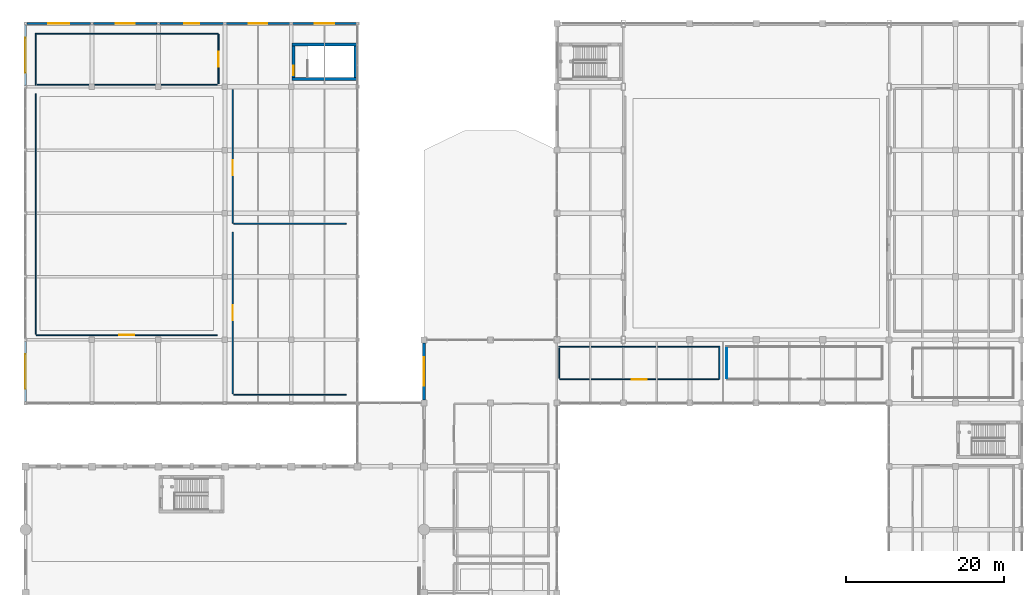
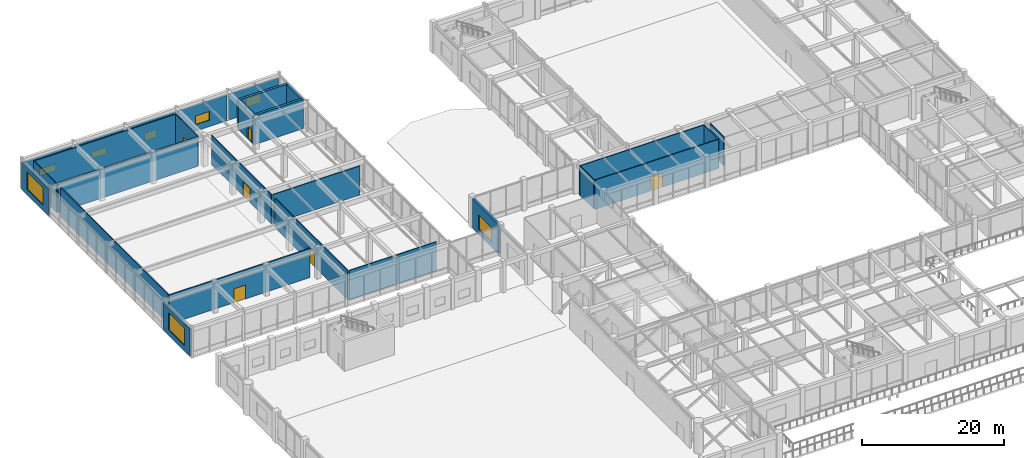
# One storey, part 60 of 79: 27 walls, 8 windows, 6 doors, 14 openings.
"""IFC4 building model written with IfcOpenShell, lengths in metres."""

from ifc_helpers import new_model, si_unit, direction, frame, frame_2d, origin, place, context, subcontext, project, spatial, rectangle, extrude, material, layer, layer_set, type_object, element, fill, save


model = new_model("IFC4")

# Units and contexts
model_context = context("Model", 3, precision=1e-05, world=origin(), true_north=direction((0.0, 1.0)))
body_context = subcontext(model_context, "Body", "Model", "MODEL_VIEW")
ifc_project = project(units=[si_unit("LENGTHUNIT", "METRE"), si_unit("AREAUNIT", "SQUARE_METRE"), si_unit("VOLUMEUNIT", "CUBIC_METRE"), si_unit("PLANEANGLEUNIT", "RADIAN"), si_unit("MASSUNIT", "GRAM", prefix="KILO")], contexts=[model_context])

# Site, building, storey
site_placement = place(None, origin())
site = spatial("IfcSite", under=ifc_project, at=site_placement, CompositionType="ELEMENT")
building_placement = place(site_placement, origin())
building = spatial("IfcBuilding", under=site, at=building_placement, Name="Naruveol Harbour Congress Hotel", CompositionType="ELEMENT")
storey_placement = place(building_placement, frame((0.0, 0.0, 6.0)))
storey = spatial("IfcBuildingStorey", under=building, at=storey_placement, Name="L01", CompositionType="ELEMENT", Elevation=6.0)

# Wall, opening, door
ifc_material_1 = material(Name="Acoustic Double Stud Gypsum", Category="gypsum")
ifc_layer_1 = layer(ifc_material_1, 0.139892578125)
ifc_layer_set_1 = layer_set([ifc_layer_1], Name="Acoustic Double Stud Gypsum")
wall_type_1 = type_object("IfcWallType", Name="ACOUSTIC MEETING PARTITION WALL 140", PredefinedType="PARTITIONING", material=ifc_layer_set_1)
wall_1_placement = place(storey_placement, frame((1.360107421875, 72.60009765625, 0.0), z_axis=(0.0, 0.0, 1.0), x_axis=(1.0, 0.0, 0.0)))
wall_1 = element("IfcWall", 1, at=wall_1_placement, inside=storey, type_object=wall_type_1, Name="Indoor Lap Pool Hall south entry wall PW-140", PredefinedType="PARTITIONING", context=body_context, shape_type="SweptSolid", body=[
    extrude(rectangle(XDim=22.8798828125, YDim=0.139892578125, at=frame_2d((11.43994140625, 0.0))), origin(), (0.0, 0.0, 1.0), 5.044921875),
])
opening_1_placement = place(wall_1_placement, frame((10.489990234375, 0.0, 0.0)))
opening_1 = element("IfcOpeningElement", 2, at=opening_1_placement, cuts=wall_1, Name="Opening ID-LG-36", PredefinedType="OPENING", context=body_context, shape_type="SweptSolid", body=[
    extrude(rectangle(XDim=1.89990234375, YDim=2.39990234375, at=frame_2d((0.949951171875, 1.199951171875))), frame((0.0, 0.079833984375, 0.0), z_axis=(0.0, -1.0, 0.0), x_axis=(1.0, 0.0, 0.0)), (0.0, 0.0, 1.0), 0.159912109375),
])
ifc_material_2 = material(Name="Timber & Steel Acoustic Leaf", Category="steel")
door_type_1 = type_object("IfcDoorType", Name="RESTAURANT AND LOUNGE GLAZED DOOR 1900X2400", OperationType="DOUBLE_DOOR_SINGLE_SWING", PredefinedType="DOOR", material=ifc_material_2)
door_1_placement = place(opening_1_placement, origin())
door_1 = element("IfcDoor", 3, at=door_1_placement, inside=storey, type_object=door_type_1, Name="Indoor Lap Pool Hall Entrance Door", OperationType="DOUBLE_DOOR_SINGLE_SWING", OverallHeight=2.39990234375, OverallWidth=1.89990234375, PredefinedType="DOOR", context=body_context, shape_type="SweptSolid", body=[
    extrude(rectangle(XDim=1.89990234375, YDim=2.39990234375, at=frame_2d((0.949951171875, 1.199951171875))), frame((0.0, 0.02490234375, 0.0), z_axis=(0.0, -1.0, 0.0), x_axis=(1.0, 0.0, 0.0)), (0.0, 0.0, 1.0), 0.050048828125),
])
fill(opening_1, door_1)

# Wall
wall_2_placement = place(storey_placement, frame((1.280029296875, 72.739990234375, 0.0), z_axis=(0.0, 0.0, 1.0), x_axis=(0.0, 1.0, 0.0)))
element("IfcWall", 4, at=wall_2_placement, inside=storey, type_object=wall_type_1, Name="Indoor Lap Pool Hall west partition PW-140", PredefinedType="PARTITIONING", context=body_context, shape_type="SweptSolid", body=[
    extrude(rectangle(XDim=30.409912109375, YDim=0.139892578125, at=frame_2d((15.205078125, 0.0))), origin(), (0.0, 0.0, 1.0), 5.044921875),
])

# Wall, opening, door
wall_3_placement = place(storey_placement, frame((26.199951171875, 65.159912109375, 0.0), z_axis=(0.0, 0.0, 1.0), x_axis=(0.0, 1.0, 0.0)))
wall_3 = element("IfcWall", 5, at=wall_3_placement, inside=storey, type_object=wall_type_1, Name="Thermal Hydrotherapy Lounge west entry wall PW-140", PredefinedType="PARTITIONING", context=body_context, shape_type="SweptSolid", body=[
    extrude(rectangle(XDim=20.47998046875, YDim=0.139892578125, at=frame_2d((10.239990234375, 0.0))), origin(), (0.0, 0.0, 1.0), 5.044921875),
])
opening_2_placement = place(wall_3_placement, frame((9.2900390625, 0.0, 0.0)))
opening_2 = element("IfcOpeningElement", 6, at=opening_2_placement, cuts=wall_3, Name="Opening ID-LG-37", PredefinedType="OPENING", context=body_context, shape_type="SweptSolid", body=[
    extrude(rectangle(XDim=1.89990234375, YDim=2.39990234375, at=frame_2d((0.949951171875, 1.199951171875))), frame((0.0, 0.079833984375, 0.0), z_axis=(0.0, -1.0, 0.0), x_axis=(1.0, 0.0, 0.0)), (0.0, 0.0, 1.0), 0.159912109375),
])
door_2_placement = place(opening_2_placement, origin())
door_2 = element("IfcDoor", 7, at=door_2_placement, inside=storey, type_object=door_type_1, Name="Thermal Hydrotherapy Lounge Entrance Door", OperationType="DOUBLE_DOOR_SINGLE_SWING", OverallHeight=2.39990234375, OverallWidth=1.89990234375, PredefinedType="DOOR", context=body_context, shape_type="SweptSolid", body=[
    extrude(rectangle(XDim=1.89990234375, YDim=2.39990234375, at=frame_2d((0.949951171875, 1.199951171875))), frame((0.0, 0.02490234375, 0.0), z_axis=(0.0, -1.0, 0.0), x_axis=(1.0, 0.0, 0.0)), (0.0, 0.0, 1.0), 0.050048828125),
])
fill(opening_2, door_2)

# Wall
wall_4_placement = place(storey_placement, frame((26.340087890625, 65.080078125, 0.0), z_axis=(0.0, 0.0, 1.0), x_axis=(1.0, 0.0, 0.0)))
element("IfcWall", 8, at=wall_4_placement, inside=storey, type_object=wall_type_1, Name="Thermal Hydrotherapy Lounge south partition PW-140", PredefinedType="PARTITIONING", context=body_context, shape_type="SweptSolid", body=[
    extrude(rectangle(XDim=14.2099609375, YDim=0.139892578125, at=frame_2d((7.10498046875, 0.0))), origin(), (0.0, 0.0, 1.0), 5.044921875),
])

# Wall, opening, door
wall_5_placement = place(storey_placement, frame((26.199951171875, 86.760009765625, 0.0), z_axis=(0.0, 0.0, 1.0), x_axis=(0.0, 1.0, 0.0)))
wall_5 = element("IfcWall", 9, at=wall_5_placement, inside=storey, type_object=wall_type_1, Name="Harbour Fitness and Movement Studio west entry wall PW-140", PredefinedType="PARTITIONING", context=body_context, shape_type="SweptSolid", body=[
    extrude(rectangle(XDim=16.8798828125, YDim=0.139892578125, at=frame_2d((8.43994140625, 0.0))), origin(), (0.0, 0.0, 1.0), 5.044921875),
])
opening_3_placement = place(wall_5_placement, frame((6.0400390625, 0.0, 0.0)))
opening_3 = element("IfcOpeningElement", 10, at=opening_3_placement, cuts=wall_5, Name="Opening ID-LG-38", PredefinedType="OPENING", context=body_context, shape_type="SweptSolid", body=[
    extrude(rectangle(XDim=1.89990234375, YDim=2.39990234375, at=frame_2d((0.949951171875, 1.199951171875))), frame((0.0, 0.079833984375, 0.0), z_axis=(0.0, -1.0, 0.0), x_axis=(1.0, 0.0, 0.0)), (0.0, 0.0, 1.0), 0.159912109375),
])
door_3_placement = place(opening_3_placement, origin())
door_3 = element("IfcDoor", 11, at=door_3_placement, inside=storey, type_object=door_type_1, Name="Harbour Fitness and Movement Studio Entrance Door", OperationType="DOUBLE_DOOR_SINGLE_SWING", OverallHeight=2.39990234375, OverallWidth=1.89990234375, PredefinedType="DOOR", context=body_context, shape_type="SweptSolid", body=[
    extrude(rectangle(XDim=1.89990234375, YDim=2.39990234375, at=frame_2d((0.949951171875, 1.199951171875))), frame((0.0, 0.02490234375, 0.0), z_axis=(0.0, -1.0, 0.0), x_axis=(1.0, 0.0, 0.0)), (0.0, 0.0, 1.0), 0.050048828125),
])
fill(opening_3, door_3)

# Wall
wall_6_placement = place(storey_placement, frame((26.340087890625, 86.679931640625, 0.0), z_axis=(0.0, 0.0, 1.0), x_axis=(1.0, 0.0, 0.0)))
element("IfcWall", 12, at=wall_6_placement, inside=storey, type_object=wall_type_1, Name="Harbour Fitness and Movement Studio south partition PW-140", PredefinedType="PARTITIONING", context=body_context, shape_type="SweptSolid", body=[
    extrude(rectangle(XDim=14.2099609375, YDim=0.139892578125, at=frame_2d((7.10498046875, 0.0))), origin(), (0.0, 0.0, 1.0), 5.044921875),
])

# Wall, opening, door
wall_7_placement = place(storey_placement, frame((24.39990234375, 104.360107421875, 0.0), z_axis=(0.0, 0.0, 1.0), x_axis=(0.0, 1.0, 0.0)))
wall_7 = element("IfcWall", 13, at=wall_7_placement, inside=storey, type_object=wall_type_1, Name="Spa Wet Changing Rooms east entry wall PW-140", PredefinedType="PARTITIONING", context=body_context, shape_type="SweptSolid", body=[
    extrude(rectangle(XDim=6.27978515625, YDim=0.139892578125, at=frame_2d((3.139892578125, 0.0))), origin(), (0.0, 0.0, 1.0), 5.044921875),
])
opening_4_placement = place(wall_7_placement, frame((2.18994140625, 0.0, 0.0)))
opening_4 = element("IfcOpeningElement", 14, at=opening_4_placement, cuts=wall_7, Name="Opening ID-LG-39", PredefinedType="OPENING", context=body_context, shape_type="SweptSolid", body=[
    extrude(rectangle(XDim=1.89990234375, YDim=2.39990234375, at=frame_2d((0.949951171875, 1.199951171875))), frame((0.0, 0.079833984375, 0.0), z_axis=(0.0, -1.0, 0.0), x_axis=(1.0, 0.0, 0.0)), (0.0, 0.0, 1.0), 0.159912109375),
])
door_4_placement = place(opening_4_placement, origin())
door_4 = element("IfcDoor", 15, at=door_4_placement, inside=storey, type_object=door_type_1, Name="Spa Wet Changing Rooms Entrance Door", OperationType="DOUBLE_DOOR_SINGLE_SWING", OverallHeight=2.39990234375, OverallWidth=1.89990234375, PredefinedType="DOOR", context=body_context, shape_type="SweptSolid", body=[
    extrude(rectangle(XDim=1.89990234375, YDim=2.39990234375, at=frame_2d((0.949951171875, 1.199951171875))), frame((0.0, 0.02490234375, 0.0), z_axis=(0.0, -1.0, 0.0), x_axis=(1.0, 0.0, 0.0)), (0.0, 0.0, 1.0), 0.050048828125),
])
fill(opening_4, door_4)

# Wall
wall_8_placement = place(storey_placement, frame((1.449951171875, 104.280029296875, 0.0), z_axis=(0.0, 0.0, 1.0), x_axis=(1.0, 0.0, 0.0)))
element("IfcWall", 16, at=wall_8_placement, inside=storey, type_object=wall_type_1, Name="Spa Wet Changing Rooms south partition PW-140", PredefinedType="PARTITIONING", context=body_context, shape_type="SweptSolid", body=[
    extrude(rectangle(XDim=22.81005859375, YDim=0.139892578125, at=frame_2d((11.405029296875, 0.0))), origin(), (0.0, 0.0, 1.0), 5.044921875),
])

# Wall, opening, door
wall_9_placement = place(storey_placement, frame((67.56005859375, 67.0, 0.0), z_axis=(0.0, 0.0, 1.0), x_axis=(1.0, 0.0, 0.0)))
wall_9 = element("IfcWall", 17, at=wall_9_placement, inside=storey, type_object=wall_type_1, Name="Breakout Salon 104 south entry wall PW-140", PredefinedType="PARTITIONING", context=body_context, shape_type="SweptSolid", body=[
    extrude(rectangle(XDim=20.079833984375, YDim=0.139892578125, at=frame_2d((10.0400390625, 0.0))), origin(), (0.0, 0.0, 1.0), 5.044921875),
])
opening_5_placement = place(wall_9_placement, frame((9.090087890625, 0.0, 0.0)))
opening_5 = element("IfcOpeningElement", 18, at=opening_5_placement, cuts=wall_9, Name="Opening ID-LG-47", PredefinedType="OPENING", context=body_context, shape_type="SweptSolid", body=[
    extrude(rectangle(XDim=1.89990234375, YDim=2.39990234375, at=frame_2d((0.949951171875, 1.199951171875))), frame((0.0, 0.079833984375, 0.0), z_axis=(0.0, -1.0, 0.0), x_axis=(1.0, 0.0, 0.0)), (0.0, 0.0, 1.0), 0.159912109375),
])
door_5_placement = place(opening_5_placement, origin())
door_5 = element("IfcDoor", 19, at=door_5_placement, inside=storey, type_object=door_type_1, Name="Breakout Salon 104 Entrance Door", OperationType="DOUBLE_DOOR_SINGLE_SWING", OverallHeight=2.39990234375, OverallWidth=1.89990234375, PredefinedType="DOOR", context=body_context, shape_type="SweptSolid", body=[
    extrude(rectangle(XDim=1.89990234375, YDim=2.39990234375, at=frame_2d((0.949951171875, 1.199951171875))), frame((0.0, 0.02490234375, 0.0), z_axis=(0.0, -1.0, 0.0), x_axis=(1.0, 0.0, 0.0)), (0.0, 0.0, 1.0), 0.050048828125),
])
fill(opening_5, door_5)

# Walls
wall_10_placement = place(storey_placement, frame((67.47998046875, 67.139892578125, 0.0), z_axis=(0.0, 0.0, 1.0), x_axis=(0.0, 1.0, 0.0)))
element("IfcWall", 20, at=wall_10_placement, inside=storey, type_object=wall_type_1, Name="Breakout Salon 104 west partition PW-140", PredefinedType="PARTITIONING", context=body_context, shape_type="SweptSolid", body=[
    extrude(rectangle(XDim=3.81005859375, YDim=0.139892578125, at=frame_2d((1.905029296875, 0.0))), origin(), (0.0, 0.0, 1.0), 5.044921875),
])
wall_11_placement = place(storey_placement, frame((1.280029296875, 104.199951171875, 0.0), z_axis=(0.0, 0.0, 1.0), x_axis=(0.0, 1.0, 0.0)))
element("IfcWall", 21, at=wall_11_placement, inside=storey, type_object=wall_type_1, Name="Spa Wet Changing Rooms west enclosure partition PW-140", PredefinedType="PARTITIONING", context=body_context, shape_type="SweptSolid", body=[
    extrude(rectangle(XDim=6.60009765625, YDim=0.139892578125, at=frame_2d((3.300048828125, 0.0))), origin(), (0.0, 0.0, 1.0), 5.044921875),
])
wall_12_placement = place(storey_placement, frame((1.35009765625, 110.719970703125, 0.0), z_axis=(0.0, 0.0, 1.0), x_axis=(1.0, 0.0, 0.0)))
element("IfcWall", 22, at=wall_12_placement, inside=storey, type_object=wall_type_1, Name="Spa Wet Changing Rooms north enclosure partition PW-140", PredefinedType="PARTITIONING", context=body_context, shape_type="SweptSolid", body=[
    extrude(rectangle(XDim=23.037841796875, YDim=0.139892578125, at=frame_2d((11.51904296875, 0.0))), origin(), (0.0, 0.0, 1.0), 5.044921875),
])
wall_13_placement = place(storey_placement, frame((87.719970703125, 67.011962890625, 0.0), z_axis=(0.0, 0.0, 1.0), x_axis=(0.0, 1.0, 0.0)))
element("IfcWall", 23, at=wall_13_placement, inside=storey, type_object=wall_type_1, Name="Breakout Salon 104 east enclosure partition PW-140", PredefinedType="PARTITIONING", context=body_context, shape_type="SweptSolid", body=[
    extrude(rectangle(XDim=4.18798828125, YDim=0.139892578125, at=frame_2d((2.093994140625, 0.0))), origin(), (0.0, 0.0, 1.0), 5.044921875),
])
wall_14_placement = place(storey_placement, frame((67.39990234375, 71.1201171875, 0.0), z_axis=(0.0, 0.0, 1.0), x_axis=(1.0, 0.0, 0.0)))
element("IfcWall", 24, at=wall_14_placement, inside=storey, type_object=wall_type_1, Name="Breakout Salon 104 north enclosure partition PW-140", PredefinedType="PARTITIONING", context=body_context, shape_type="SweptSolid", body=[
    extrude(rectangle(XDim=20.25, YDim=0.139892578125, at=frame_2d((10.125, 0.0))), origin(), (0.0, 0.0, 1.0), 5.044921875),
])

# Wall, opening, window
ifc_material_3 = material(Name="Precast concrete C40/50", Category="concrete")
ifc_layer_2 = layer(ifc_material_3, 0.280029296875)
ifc_layer_set_2 = layer_set([ifc_layer_2], Name="Precast concrete C40/50")
wall_type_2 = type_object("IfcWallType", Name="ARCHITECTURAL PRECAST FACADE WALL 280", PredefinedType="SOLIDWALL", material=ifc_layer_set_2)
wall_15_placement = place(storey_placement, frame((0.0, 64.175048828125, 0.0), z_axis=(0.0, 0.0, 1.0), x_axis=(0.0, 1.0, 0.0)))
wall_15 = element("IfcWall", 25, at=wall_15_placement, inside=storey, type_object=wall_type_2, Name="Spa west facade EW-280", PredefinedType="SOLIDWALL", context=body_context, shape_type="SweptSolid", body=[
    extrude(rectangle(XDim=7.64990234375, YDim=0.280029296875, at=frame_2d((3.824951171875, 0.0))), origin(), (0.0, 0.0, 1.0), 4.68994140625),
])
opening_6_placement = place(wall_15_placement, frame((1.625, 0.0, 0.89990234375)))
opening_6 = element("IfcOpeningElement", 26, at=opening_6_placement, cuts=wall_15, Name="Opening W-14", PredefinedType="OPENING", context=body_context, shape_type="SweptSolid", body=[
    extrude(rectangle(XDim=4.39990234375, YDim=3.0, at=frame_2d((2.199951171875, 1.5))), frame((0.0, 0.14990234375, 0.0), z_axis=(0.0, -1.0, 0.0), x_axis=(1.0, 0.0, 0.0)), (0.0, 0.0, 1.0), 0.300048828125),
])
ifc_material_4 = material(Name="Low-E Triple Glazing in Thermal Aluminium", Category="aluminium")
window_type_1 = type_object("IfcWindowType", Name="POOL HALL MARINE WINDOW 4400X3000", PartitioningType="DOUBLE_PANEL_VERTICAL", PredefinedType="WINDOW", material=ifc_material_4)
window_1_placement = place(opening_6_placement, origin())
window_1 = element("IfcWindow", 27, at=window_1_placement, inside=storey, type_object=window_type_1, Name="Window W-14 #97", OverallHeight=3.0, OverallWidth=4.39990234375, PartitioningType="DOUBLE_PANEL_VERTICAL", PredefinedType="WINDOW", context=body_context, shape_type="SweptSolid", body=[
    extrude(rectangle(XDim=4.39990234375, YDim=3.0, at=frame_2d((2.199951171875, 1.5))), frame((0.0, 0.030029296875, 0.0), z_axis=(0.0, -1.0, 0.0), x_axis=(1.0, 0.0, 0.0)), (0.0, 0.0, 1.0), 0.06005859375),
])
fill(opening_6, window_1)

wall_16_placement = place(storey_placement, frame((0.0, 104.175048828125, 0.0), z_axis=(0.0, 0.0, 1.0), x_axis=(0.0, 1.0, 0.0)))
wall_16 = element("IfcWall", 28, at=wall_16_placement, inside=storey, type_object=wall_type_2, Name="Spa west facade EW-280", PredefinedType="SOLIDWALL", context=body_context, shape_type="SweptSolid", body=[
    extrude(rectangle(XDim=7.64990234375, YDim=0.280029296875, at=frame_2d((3.824951171875, 0.0))), origin(), (0.0, 0.0, 1.0), 4.68994140625),
])
opening_7_placement = place(wall_16_placement, frame((1.625, 0.0, 0.89990234375)))
opening_7 = element("IfcOpeningElement", 29, at=opening_7_placement, cuts=wall_16, Name="Opening W-14", PredefinedType="OPENING", context=body_context, shape_type="SweptSolid", body=[
    extrude(rectangle(XDim=4.39990234375, YDim=3.0, at=frame_2d((2.199951171875, 1.5))), frame((0.0, 0.14990234375, 0.0), z_axis=(0.0, -1.0, 0.0), x_axis=(1.0, 0.0, 0.0)), (0.0, 0.0, 1.0), 0.300048828125),
])
window_2_placement = place(opening_7_placement, origin())
window_2 = element("IfcWindow", 30, at=window_2_placement, inside=storey, type_object=window_type_1, Name="Window W-14 #98", OverallHeight=3.0, OverallWidth=4.39990234375, PartitioningType="DOUBLE_PANEL_VERTICAL", PredefinedType="WINDOW", context=body_context, shape_type="SweptSolid", body=[
    extrude(rectangle(XDim=4.39990234375, YDim=3.0, at=frame_2d((2.199951171875, 1.5))), frame((0.0, 0.030029296875, 0.0), z_axis=(0.0, -1.0, 0.0), x_axis=(1.0, 0.0, 0.0)), (0.0, 0.0, 1.0), 0.06005859375),
])
fill(opening_7, window_2)

ifc_material_5 = material(Name="Concrete C40/50", Category="concrete")
ifc_layer_3 = layer(ifc_material_5, 0.3798828125)
ifc_layer_set_3 = layer_set([ifc_layer_3], Name="Concrete C40/50")
wall_type_3 = type_object("IfcWallType", Name="INSULATED GRANITE FACADE WALL 380", PredefinedType="SOLIDWALL", material=ifc_layer_set_3)
wall_17_placement = place(storey_placement, frame((50.39990234375, 64.375, 0.0), z_axis=(0.0, 0.0, 1.0), x_axis=(0.0, 1.0, 0.0)))
wall_17 = element("IfcWall", 31, at=wall_17_placement, inside=storey, type_object=wall_type_3, Name="Main arrival forecourt north bay EW-380", PredefinedType="SOLIDWALL", context=body_context, shape_type="SweptSolid", body=[
    extrude(rectangle(XDim=7.25, YDim=0.3798828125, at=frame_2d((3.625, 0.0))), origin(), (0.0, 0.0, 1.0), 5.10009765625),
])
opening_8_placement = place(wall_17_placement, frame((1.824951171875, 0.0, 0.89990234375)))
opening_8 = element("IfcOpeningElement", 32, at=opening_8_placement, cuts=wall_17, Name="Opening W-12", PredefinedType="OPENING", context=body_context, shape_type="SweptSolid", body=[
    extrude(rectangle(XDim=3.60009765625, YDim=2.5, at=frame_2d((1.800048828125, 1.25))), frame((0.0, 0.199951171875, 0.0), z_axis=(0.0, -1.0, 0.0), x_axis=(1.0, 0.0, 0.0)), (0.0, 0.0, 1.0), 0.39990234375),
])
ifc_material_6 = material(Name="Low-E Triple Glazing in Thermal Aluminium", Category="aluminium")
window_type_2 = type_object("IfcWindowType", Name="CONCOURSE PICTURE WINDOW 3600X2500", PartitioningType="DOUBLE_PANEL_VERTICAL", PredefinedType="WINDOW", material=ifc_material_6)
window_3_placement = place(opening_8_placement, origin())
window_3 = element("IfcWindow", 33, at=window_3_placement, inside=storey, type_object=window_type_2, Name="Window W-12 #145", OverallHeight=2.5, OverallWidth=3.60009765625, PartitioningType="DOUBLE_PANEL_VERTICAL", PredefinedType="WINDOW", context=body_context, shape_type="SweptSolid", body=[
    extrude(rectangle(XDim=3.60009765625, YDim=2.5, at=frame_2d((1.800048828125, 1.25))), frame((0.0, 0.030029296875, 0.0), z_axis=(0.0, -1.0, 0.0), x_axis=(1.0, 0.0, 0.0)), (0.0, 0.0, 1.0), 0.06005859375),
])
fill(opening_8, window_3)

ifc_material_7 = material(Name="Concrete C40/50", Category="concrete")
ifc_layer_4 = layer(ifc_material_7, 0.260009765625)
ifc_layer_set_4 = layer_set([ifc_layer_4], Name="Concrete C40/50")
wall_type_4 = type_object("IfcWallType", Name="MARINE INSULATED FACADE WALL 260", PredefinedType="SOLIDWALL", material=ifc_layer_set_4)
wall_18_placement = place(storey_placement, frame((0.175048828125, 112.0, 0.0), z_axis=(0.0, 0.0, 1.0), x_axis=(1.0, 0.0, 0.0)))
wall_18 = element("IfcWall", 34, at=wall_18_placement, inside=storey, type_object=wall_type_4, Name="Spa north wall EW-260", PredefinedType="SOLIDWALL", context=body_context, shape_type="SweptSolid", body=[
    extrude(rectangle(XDim=8.050048828125, YDim=0.260009765625, at=frame_2d((4.02490234375, 0.0))), origin(), (0.0, 0.0, 1.0), 4.43994140625),
])
opening_9_placement = place(wall_18_placement, frame((2.675048828125, 0.0, 1.10009765625)))
opening_9 = element("IfcOpeningElement", 35, at=opening_9_placement, cuts=wall_18, Name="Opening W-18", PredefinedType="OPENING", context=body_context, shape_type="SweptSolid", body=[
    extrude(rectangle(XDim=2.699951171875, YDim=1.199951171875, at=frame_2d((1.35009765625, 0.60009765625))), frame((0.0, 0.139892578125, 0.0), z_axis=(0.0, -1.0, 0.0), x_axis=(1.0, 0.0, 0.0)), (0.0, 0.0, 1.0), 0.280029296875),
])
ifc_material_8 = material(Name="Low-E Triple Glazing in Thermal Aluminium", Category="aluminium")
window_type_3 = type_object("IfcWindowType", Name="BANQUET KITCHEN CLERESTORY 2700X1200", PartitioningType="DOUBLE_PANEL_VERTICAL", PredefinedType="WINDOW", material=ifc_material_8)
window_4_placement = place(opening_9_placement, origin())
window_4 = element("IfcWindow", 36, at=window_4_placement, inside=storey, type_object=window_type_3, Name="Window W-18 #99", OverallHeight=1.199951171875, OverallWidth=2.699951171875, PartitioningType="DOUBLE_PANEL_VERTICAL", PredefinedType="WINDOW", context=body_context, shape_type="SweptSolid", body=[
    extrude(rectangle(XDim=2.699951171875, YDim=1.199951171875, at=frame_2d((1.35009765625, 0.60009765625))), frame((0.0, 0.030029296875, 0.0), z_axis=(0.0, -1.0, 0.0), x_axis=(1.0, 0.0, 0.0)), (0.0, 0.0, 1.0), 0.06005859375),
])
fill(opening_9, window_4)

wall_19_placement = place(storey_placement, frame((8.574951171875, 112.0, 0.0), z_axis=(0.0, 0.0, 1.0), x_axis=(1.0, 0.0, 0.0)))
wall_19 = element("IfcWall", 37, at=wall_19_placement, inside=storey, type_object=wall_type_4, Name="Spa north wall EW-260", PredefinedType="SOLIDWALL", context=body_context, shape_type="SweptSolid", body=[
    extrude(rectangle(XDim=8.050048828125, YDim=0.260009765625, at=frame_2d((4.02490234375, 0.0))), origin(), (0.0, 0.0, 1.0), 4.43994140625),
])
opening_10_placement = place(wall_19_placement, frame((2.824951171875, 0.0, 1.10009765625)))
opening_10 = element("IfcOpeningElement", 38, at=opening_10_placement, cuts=wall_19, Name="Opening W-19", PredefinedType="OPENING", context=body_context, shape_type="SweptSolid", body=[
    extrude(rectangle(XDim=2.39990234375, YDim=1.199951171875, at=frame_2d((1.199951171875, 0.60009765625))), frame((0.0, 0.139892578125, 0.0), z_axis=(0.0, -1.0, 0.0), x_axis=(1.0, 0.0, 0.0)), (0.0, 0.0, 1.0), 0.280029296875),
])
ifc_material_9 = material(Name="Low-E Triple Glazing in Thermal Aluminium", Category="aluminium")
window_type_4 = type_object("IfcWindowType", Name="AUDITORIUM ACOUSTIC CLERESTORY 2400X1200", PartitioningType="DOUBLE_PANEL_VERTICAL", PredefinedType="WINDOW", material=ifc_material_9)
window_5_placement = place(opening_10_placement, origin())
window_5 = element("IfcWindow", 39, at=window_5_placement, inside=storey, type_object=window_type_4, Name="Window W-19 #100", OverallHeight=1.199951171875, OverallWidth=2.39990234375, PartitioningType="DOUBLE_PANEL_VERTICAL", PredefinedType="WINDOW", context=body_context, shape_type="SweptSolid", body=[
    extrude(rectangle(XDim=2.39990234375, YDim=1.199951171875, at=frame_2d((1.199951171875, 0.60009765625))), frame((0.0, 0.030029296875, 0.0), z_axis=(0.0, -1.0, 0.0), x_axis=(1.0, 0.0, 0.0)), (0.0, 0.0, 1.0), 0.06005859375),
])
fill(opening_10, window_5)

wall_20_placement = place(storey_placement, frame((16.97509765625, 112.0, 0.0), z_axis=(0.0, 0.0, 1.0), x_axis=(1.0, 0.0, 0.0)))
wall_20 = element("IfcWall", 40, at=wall_20_placement, inside=storey, type_object=wall_type_4, Name="Spa north wall EW-260", PredefinedType="SOLIDWALL", context=body_context, shape_type="SweptSolid", body=[
    extrude(rectangle(XDim=8.0498046875, YDim=0.260009765625, at=frame_2d((4.02490234375, 0.0))), origin(), (0.0, 0.0, 1.0), 4.43994140625),
])
opening_11_placement = place(wall_20_placement, frame((3.074951171875, 0.0, 1.10009765625)))
opening_11 = element("IfcOpeningElement", 41, at=opening_11_placement, cuts=wall_20, Name="Opening W-20", PredefinedType="OPENING", context=body_context, shape_type="SweptSolid", body=[
    extrude(rectangle(XDim=1.89990234375, YDim=1.39990234375, at=frame_2d((0.949951171875, 0.699951171875))), frame((0.0, 0.139892578125, 0.0), z_axis=(0.0, -1.0, 0.0), x_axis=(1.0, 0.0, 0.0)), (0.0, 0.0, 1.0), 0.280029296875),
])
ifc_material_10 = material(Name="Low-E Triple Glazing in Thermal Aluminium", Category="aluminium")
window_type_5 = type_object("IfcWindowType", Name="PRESS BRIEFING WINDOW 1900X1400", PartitioningType="DOUBLE_PANEL_VERTICAL", PredefinedType="WINDOW", material=ifc_material_10)
window_6_placement = place(opening_11_placement, origin())
window_6 = element("IfcWindow", 42, at=window_6_placement, inside=storey, type_object=window_type_5, Name="Window W-20 #101", OverallHeight=1.39990234375, OverallWidth=1.89990234375, PartitioningType="DOUBLE_PANEL_VERTICAL", PredefinedType="WINDOW", context=body_context, shape_type="SweptSolid", body=[
    extrude(rectangle(XDim=1.89990234375, YDim=1.39990234375, at=frame_2d((0.949951171875, 0.699951171875))), frame((0.0, 0.030029296875, 0.0), z_axis=(0.0, -1.0, 0.0), x_axis=(1.0, 0.0, 0.0)), (0.0, 0.0, 1.0), 0.06005859375),
])
fill(opening_11, window_6)

wall_21_placement = place(storey_placement, frame((25.375, 112.0, 0.0), z_axis=(0.0, 0.0, 1.0), x_axis=(1.0, 0.0, 0.0)))
wall_21 = element("IfcWall", 43, at=wall_21_placement, inside=storey, type_object=wall_type_4, Name="Spa north wall EW-260", PredefinedType="SOLIDWALL", context=body_context, shape_type="SweptSolid", body=[
    extrude(rectangle(XDim=8.050048828125, YDim=0.260009765625, at=frame_2d((4.02490234375, 0.0))), origin(), (0.0, 0.0, 1.0), 4.43994140625),
])
opening_12_placement = place(wall_21_placement, frame((2.875, 0.0, 1.10009765625)))
opening_12 = element("IfcOpeningElement", 44, at=opening_12_placement, cuts=wall_21, Name="Opening W-21", PredefinedType="OPENING", context=body_context, shape_type="SweptSolid", body=[
    extrude(rectangle(XDim=2.300048828125, YDim=1.5, at=frame_2d((1.14990234375, 0.75))), frame((0.0, 0.139892578125, 0.0), z_axis=(0.0, -1.0, 0.0), x_axis=(1.0, 0.0, 0.0)), (0.0, 0.0, 1.0), 0.280029296875),
])
ifc_material_11 = material(Name="Low-E Triple Glazing in Thermal Aluminium", Category="aluminium")
window_type_6 = type_object("IfcWindowType", Name="COURTYARD GALLERY WINDOW 2300X1500", PartitioningType="DOUBLE_PANEL_VERTICAL", PredefinedType="WINDOW", material=ifc_material_11)
window_7_placement = place(opening_12_placement, origin())
window_7 = element("IfcWindow", 45, at=window_7_placement, inside=storey, type_object=window_type_6, Name="Window W-21 #102", OverallHeight=1.5, OverallWidth=2.300048828125, PartitioningType="DOUBLE_PANEL_VERTICAL", PredefinedType="WINDOW", context=body_context, shape_type="SweptSolid", body=[
    extrude(rectangle(XDim=2.300048828125, YDim=1.5, at=frame_2d((1.14990234375, 0.75))), frame((0.0, 0.030029296875, 0.0), z_axis=(0.0, -1.0, 0.0), x_axis=(1.0, 0.0, 0.0)), (0.0, 0.0, 1.0), 0.06005859375),
])
fill(opening_12, window_7)

wall_22_placement = place(storey_placement, frame((33.77490234375, 112.0, 0.0), z_axis=(0.0, 0.0, 1.0), x_axis=(1.0, 0.0, 0.0)))
wall_22 = element("IfcWall", 46, at=wall_22_placement, inside=storey, type_object=wall_type_4, Name="Spa north wall EW-260", PredefinedType="SOLIDWALL", context=body_context, shape_type="SweptSolid", body=[
    extrude(rectangle(XDim=8.050048828125, YDim=0.260009765625, at=frame_2d((4.02490234375, 0.0))), origin(), (0.0, 0.0, 1.0), 4.43994140625),
])
opening_13_placement = place(wall_22_placement, frame((2.77490234375, 0.0, 1.10009765625)))
opening_13 = element("IfcOpeningElement", 47, at=opening_13_placement, cuts=wall_22, Name="Opening W-22", PredefinedType="OPENING", context=body_context, shape_type="SweptSolid", body=[
    extrude(rectangle(XDim=2.5, YDim=1.64990234375, at=frame_2d((1.25, 0.824951171875))), frame((0.0, 0.139892578125, 0.0), z_axis=(0.0, -1.0, 0.0), x_axis=(1.0, 0.0, 0.0)), (0.0, 0.0, 1.0), 0.280029296875),
])
ifc_material_12 = material(Name="Low-E Triple Glazing in Thermal Aluminium", Category="aluminium")
window_type_7 = type_object("IfcWindowType", Name="BREAKOUT SALON WINDOW 2500X1650", PartitioningType="DOUBLE_PANEL_VERTICAL", PredefinedType="WINDOW", material=ifc_material_12)
window_8_placement = place(opening_13_placement, origin())
window_8 = element("IfcWindow", 48, at=window_8_placement, inside=storey, type_object=window_type_7, Name="Window W-22 #103", OverallHeight=1.64990234375, OverallWidth=2.5, PartitioningType="DOUBLE_PANEL_VERTICAL", PredefinedType="WINDOW", context=body_context, shape_type="SweptSolid", body=[
    extrude(rectangle(XDim=2.5, YDim=1.64990234375, at=frame_2d((1.25, 0.824951171875))), frame((0.0, 0.030029296875, 0.0), z_axis=(0.0, -1.0, 0.0), x_axis=(1.0, 0.0, 0.0)), (0.0, 0.0, 1.0), 0.06005859375),
])
fill(opening_13, window_8)

# Walls
ifc_material_13 = material(Name="Concrete C50/60", Category="concrete")
ifc_layer_5 = layer(ifc_material_13, 0.39990234375)
ifc_layer_set_5 = layer_set([ifc_layer_5], Name="Concrete C50/60")
wall_type_5 = type_object("IfcWallType", Name="RC CORE SHEAR WALL 400 EI120", PredefinedType="SHEAR", material=ifc_layer_set_5)
for number, where, z_axis, x_axis, name in (
    (49, (33.699951171875, 105.0, 0.0), (0.0, 0.0, 1.0), (1.0, 0.0, 0.0), "Stair ST7 south core wall CW-400"),
    (50, (33.699951171875, 109.360107421875, 0.0), (0.0, 0.0, 1.0), (1.0, 0.0, 0.0), "Stair ST7 north core wall CW-400"),
):
    element("IfcWall", number, at=place(storey_placement, frame(where, z_axis=z_axis, x_axis=x_axis)), inside=storey, type_object=wall_type_5, Name=name, PredefinedType="SHEAR", context=body_context, shape_type="SweptSolid", body=[
        extrude(rectangle(XDim=8.150146484375, YDim=0.39990234375, at=frame_2d((4.0751953125, 0.0))), origin(), (0.0, 0.0, 1.0), 5.044921875),
    ])

# Wall, opening, door
wall_23_placement = place(storey_placement, frame((33.89990234375, 105.205078125, 0.0), z_axis=(0.0, 0.0, 1.0), x_axis=(0.0, 1.0, 0.0)))
wall_23 = element("IfcWall", 51, at=wall_23_placement, inside=storey, type_object=wall_type_5, Name="Stair ST7 west core wall CW-400", PredefinedType="SHEAR", context=body_context, shape_type="SweptSolid", body=[
    extrude(rectangle(XDim=3.949951171875, YDim=0.39990234375, at=frame_2d((1.97509765625, 0.0))), origin(), (0.0, 0.0, 1.0), 5.044921875),
])
opening_14_placement = place(wall_23_placement, frame((0.280029296875, 0.0, 0.0)))
opening_14 = element("IfcOpeningElement", 52, at=opening_14_placement, cuts=wall_23, Name="Opening FD-ST7-L01", PredefinedType="OPENING", context=body_context, shape_type="SweptSolid", body=[
    extrude(rectangle(XDim=1.159912109375, YDim=2.199951171875, at=frame_2d((0.580078125, 1.10009765625))), frame((0.0, 0.2099609375, 0.0), z_axis=(0.0, -1.0, 0.0), x_axis=(1.0, 0.0, 0.0)), (0.0, 0.0, 1.0), 0.419921875),
])
ifc_material_14 = material(Name="Timber & Steel Acoustic Leaf", Category="steel")
door_type_2 = type_object("IfcDoorType", Name="SPECIAL ESCAPE STAIR FIRE DOOR 1160X2200", OperationType="NOTDEFINED", PredefinedType="DOOR", material=ifc_material_14)
door_6_placement = place(opening_14_placement, origin())
door_6 = element("IfcDoor", 53, at=door_6_placement, inside=storey, type_object=door_type_2, Name="Enclosed Exit Stair Door ST7 L01", OperationType="SINGLE_SWING_RIGHT", OverallHeight=2.199951171875, OverallWidth=1.159912109375, PredefinedType="DOOR", context=body_context, shape_type="SweptSolid", body=[
    extrude(rectangle(XDim=1.159912109375, YDim=2.199951171875, at=frame_2d((0.580078125, 1.10009765625))), frame((0.0, 0.02490234375, 0.0), z_axis=(0.0, -1.0, 0.0), x_axis=(1.0, 0.0, 0.0)), (0.0, 0.0, 1.0), 0.050048828125),
])
fill(opening_14, door_6)

# Walls
ifc_material_15 = material(Name="Concrete C50/60", Category="concrete")
ifc_layer_6 = layer(ifc_material_15, 0.300048828125)
ifc_layer_set_6 = layer_set([ifc_layer_6], Name="Concrete C50/60")
wall_type_6 = type_object("IfcWallType", Name="RC STAIR AND HOISTWAY SHEAR WALL 300 EI120", PredefinedType="SHEAR", material=ifc_layer_set_6)
wall_24_placement = place(storey_placement, frame((41.699951171875, 105.205078125, 0.0), z_axis=(0.0, 0.0, 1.0), x_axis=(0.0, 1.0, 0.0)))
element("IfcWall", 54, at=wall_24_placement, inside=storey, type_object=wall_type_6, Name="Stair ST7 east core wall SW-300", PredefinedType="SHEAR", context=body_context, shape_type="SweptSolid", body=[
    extrude(rectangle(XDim=3.949951171875, YDim=0.300048828125, at=frame_2d((1.97509765625, 0.0))), origin(), (0.0, 0.0, 1.0), 5.044921875),
])
ifc_material_16 = material(Name="Acoustic Double Stud Gypsum", Category="gypsum")
ifc_layer_7 = layer(ifc_material_16, 0.125)
ifc_layer_set_7 = layer_set([ifc_layer_7], Name="Acoustic Double Stud Gypsum")
wall_type_7 = type_object("IfcWallType", Name="SERVICE CHASE PARTITION WALL 125", PredefinedType="PARTITIONING", material=ifc_layer_set_7)
wall_25_placement = place(storey_placement, frame((88.679931640625, 67.139892578125, 0.0), z_axis=(0.0, 0.0, 1.0), x_axis=(0.0, 1.0, 0.0)))
element("IfcWall", 55, at=wall_25_placement, inside=storey, type_object=wall_type_7, Name="Public Restrooms west partition PW-125", PredefinedType="PARTITIONING", context=body_context, shape_type="SweptSolid", body=[
    extrude(rectangle(XDim=3.81005859375, YDim=0.125, at=frame_2d((1.905029296875, 0.0))), origin(), (0.0, 0.0, 1.0), 5.044921875),
])

save(model, "model.ifc")
